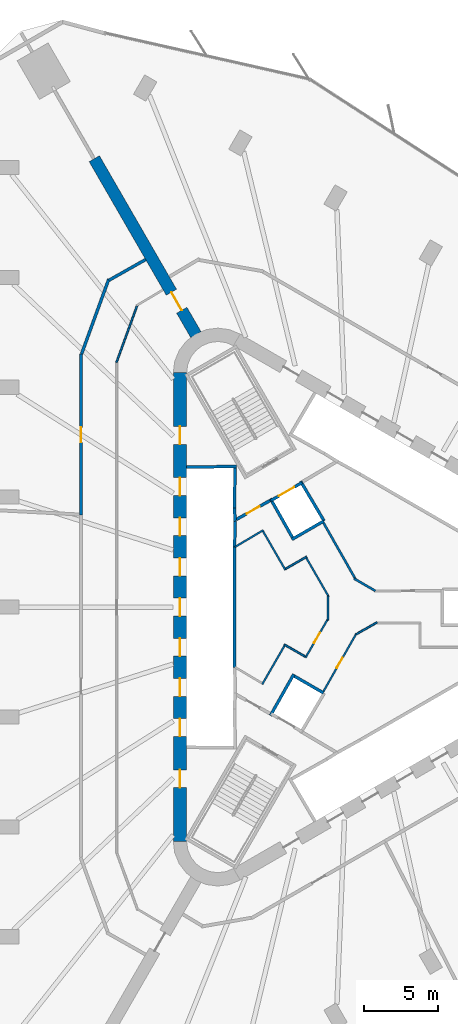
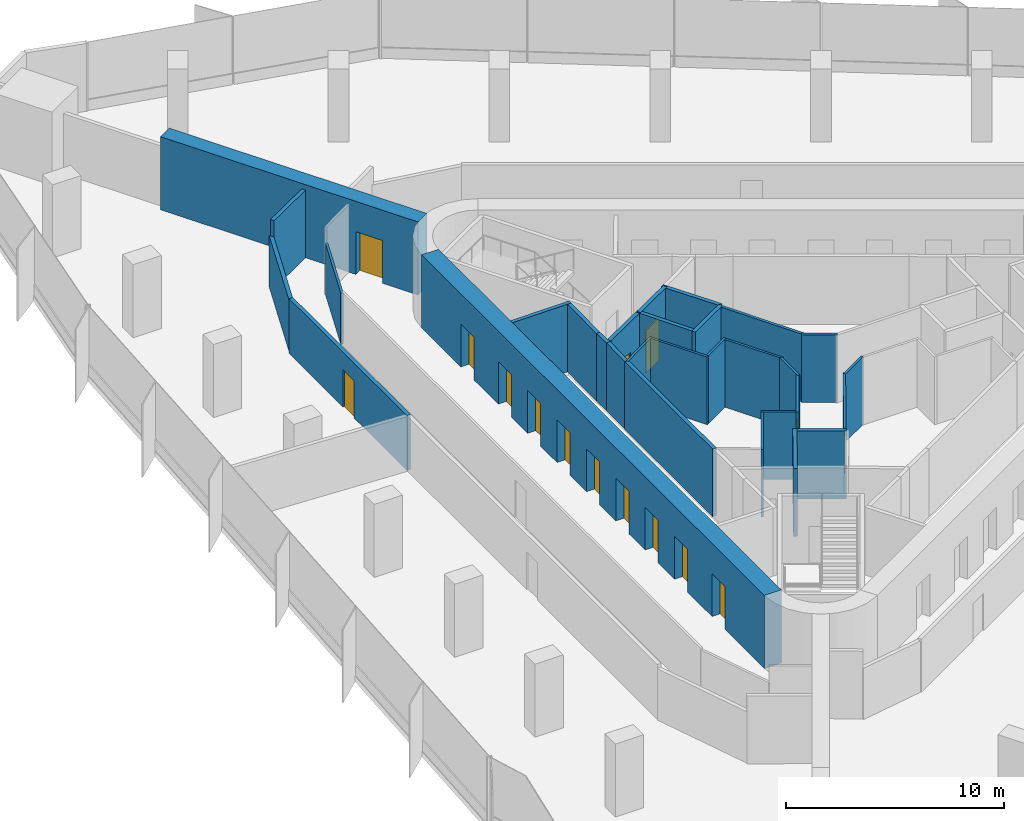
# One storey, part 10 of 14: 30 walls, 15 doors, 15 openings.
"""IFC4 building model written with IfcOpenShell, lengths in metres."""

from ifc_helpers import new_model, si_unit, direction, frame, frame_2d, origin, place, context, subcontext, project, spatial, rectangle, extrude, material, layer, layer_set, type_object, element, fill, save


model = new_model("IFC4")

# Units and contexts
model_context = context("Model", 3, precision=1e-05, world=origin(), true_north=direction((0.0, 1.0)))
body_context = subcontext(model_context, "Body", "Model", "MODEL_VIEW")
ifc_project = project(units=[si_unit("LENGTHUNIT", "METRE"), si_unit("AREAUNIT", "SQUARE_METRE"), si_unit("VOLUMEUNIT", "CUBIC_METRE"), si_unit("PLANEANGLEUNIT", "RADIAN"), si_unit("MASSUNIT", "GRAM", prefix="KILO")], contexts=[model_context])

# Site, building, storey
site_placement = place(None, origin())
site = spatial("IfcSite", under=ifc_project, at=site_placement, CompositionType="ELEMENT")
building_placement = place(site_placement, origin())
building = spatial("IfcBuilding", under=site, at=building_placement, Name="Tanit Gate Tower", CompositionType="ELEMENT")
storey_placement = place(building_placement, frame((0.0, 0.0, 70.10009765625)))
storey = spatial("IfcBuildingStorey", under=building, at=storey_placement, Name="L13", CompositionType="ELEMENT", Elevation=70.10009765625)

# Wall, opening, door
ifc_material_1 = material(Name="Concrete C60/75", Category="concrete")
ifc_layer_1 = layer(ifc_material_1, 0.800048828125)
ifc_layer_set_1 = layer_set([ifc_layer_1], Name="BUTTRESS FIN 800 C60/75")
wall_type_1 = type_object("IfcWallType", Name="BUTTRESS FIN 800 C60/75", PredefinedType="SHEAR", material=ifc_layer_set_1)
wall_1_placement = place(storey_placement, frame((-10.574951171875, 18.31640625, 0.0), z_axis=(0.0, 0.0, 1.0), x_axis=(-0.499998162141, 0.86602646487, 0.0)))
wall_1 = element("IfcWall", 1, at=wall_1_placement, inside=storey, type_object=wall_type_1, Name="BUTTRESS FIN", PredefinedType="SHEAR", context=body_context, shape_type="SweptSolid", body=[
    extrude(rectangle(XDim=13.66943359375, YDim=0.800048828125, at=frame_2d((6.834716796875, 0.0))), origin(), (0.0, 0.0, 1.0), 4.099853515625),
])
opening_1_placement = place(wall_1_placement, frame((1.89990234375, 0.0, 0.0)))
opening_1 = element("IfcOpeningElement", 2, at=opening_1_placement, cuts=wall_1, Name="Opening P14-S02-F-NW-1", PredefinedType="OPENING", context=body_context, shape_type="SweptSolid", body=[
    extrude(rectangle(XDim=1.39990234375, YDim=2.39990234375, at=frame_2d((0.699951171875, 1.199951171875))), frame((0.0, 0.41015625, 0.0), z_axis=(0.0, -1.0, 0.0), x_axis=(1.0, 0.0, 0.0)), (0.0, 0.0, 1.0), 0.820068359375),
])
ifc_material_2 = material(Name="Timber door leaf", Category="wood")
door_type_1 = type_object("IfcDoorType", Name="INT-DOOR-FIN-PAIR-1400", OperationType="NOTDEFINED", PredefinedType="NOTDEFINED", material=ifc_material_2)
door_1_placement = place(opening_1_placement, origin())
door_1 = element("IfcDoor", 3, at=door_1_placement, inside=storey, type_object=door_type_1, Name="Door P14-S02-F-NW-1", OperationType="DOUBLE_DOOR_SINGLE_SWING", OverallHeight=2.39990234375, OverallWidth=1.39990234375, PredefinedType="NOTDEFINED", context=body_context, shape_type="SweptSolid", body=[
    extrude(rectangle(XDim=1.39990234375, YDim=2.39990234375, at=frame_2d((0.699951171875, 1.199951171875))), frame((0.0, 0.02490234375, 0.0), z_axis=(0.0, -1.0, 0.0), x_axis=(1.0, 0.0, 0.0)), (0.0, 0.0, 1.0), 0.050048828125),
])
fill(opening_1, door_1)

# Wall, openings, doors
ifc_material_3 = material(Name="Concrete C60/75", Category="concrete")
ifc_layer_2 = layer(ifc_material_3, 0.89990234375)
ifc_layer_set_2 = layer_set([ifc_layer_2], Name="CORE WALL 900 C60/75")
wall_type_2 = type_object("IfcWallType", Name="CORE WALL 900 C60/75", PredefinedType="SHEAR", material=ifc_layer_set_2)
wall_2_placement = place(storey_placement, frame((-11.64990234375, 15.76171875, 0.0), z_axis=(0.0, 0.0, 1.0), x_axis=(0.0, -1.0, 0.0)))
wall_2 = element("IfcWall", 4, at=wall_2_placement, inside=storey, type_object=wall_type_2, Name="CORE WALL", PredefinedType="SHEAR", context=body_context, shape_type="SweptSolid", body=[
    extrude(rectangle(XDim=31.5234375, YDim=0.89990234375, at=frame_2d((15.76171875, 0.0))), origin(), (0.0, 0.0, 1.0), 4.099853515625),
])
opening_2_placement = place(wall_2_placement, frame((7.061767578125, 0.0, 0.0)))
opening_2 = element("IfcOpeningElement", 5, at=opening_2_placement, cuts=wall_2, Name="Opening LDLL1-S02", PredefinedType="OPENING", context=body_context, shape_type="SweptSolid", body=[
    extrude(rectangle(XDim=1.199951171875, YDim=2.39990234375, at=frame_2d((0.60009765625, 1.199951171875))), frame((0.0, 0.4599609375, 0.0), z_axis=(0.0, -1.0, 0.0), x_axis=(1.0, 0.0, 0.0)), (0.0, 0.0, 1.0), 0.919921875),
])
opening_3_placement = place(wall_2_placement, frame((9.76171875, 0.0, 0.0)))
opening_3 = element("IfcOpeningElement", 6, at=opening_3_placement, cuts=wall_2, Name="Opening LDLL2-S02", PredefinedType="OPENING", context=body_context, shape_type="SweptSolid", body=[
    extrude(rectangle(XDim=1.199951171875, YDim=2.39990234375, at=frame_2d((0.60009765625, 1.199951171875))), frame((0.0, 0.4599609375, 0.0), z_axis=(0.0, -1.0, 0.0), x_axis=(1.0, 0.0, 0.0)), (0.0, 0.0, 1.0), 0.919921875),
])
opening_4_placement = place(wall_2_placement, frame((12.461669921875, 0.0, 0.0)))
opening_4 = element("IfcOpeningElement", 7, at=opening_4_placement, cuts=wall_2, Name="Opening LDLL3-S02", PredefinedType="OPENING", context=body_context, shape_type="SweptSolid", body=[
    extrude(rectangle(XDim=1.199951171875, YDim=2.39990234375, at=frame_2d((0.60009765625, 1.199951171875))), frame((0.0, 0.4599609375, 0.0), z_axis=(0.0, -1.0, 0.0), x_axis=(1.0, 0.0, 0.0)), (0.0, 0.0, 1.0), 0.919921875),
])
opening_5_placement = place(wall_2_placement, frame((15.16162109375, 0.0, 0.0)))
opening_5 = element("IfcOpeningElement", 8, at=opening_5_placement, cuts=wall_2, Name="Opening LDLL4-S02", PredefinedType="OPENING", context=body_context, shape_type="SweptSolid", body=[
    extrude(rectangle(XDim=1.199951171875, YDim=2.39990234375, at=frame_2d((0.60009765625, 1.199951171875))), frame((0.0, 0.4599609375, 0.0), z_axis=(0.0, -1.0, 0.0), x_axis=(1.0, 0.0, 0.0)), (0.0, 0.0, 1.0), 0.919921875),
])
opening_6_placement = place(wall_2_placement, frame((17.86181640625, 0.0, 0.0)))
opening_6 = element("IfcOpeningElement", 9, at=opening_6_placement, cuts=wall_2, Name="Opening LDLL5-S02", PredefinedType="OPENING", context=body_context, shape_type="SweptSolid", body=[
    extrude(rectangle(XDim=1.199951171875, YDim=2.39990234375, at=frame_2d((0.60009765625, 1.199951171875))), frame((0.0, 0.4599609375, 0.0), z_axis=(0.0, -1.0, 0.0), x_axis=(1.0, 0.0, 0.0)), (0.0, 0.0, 1.0), 0.919921875),
])
opening_7_placement = place(wall_2_placement, frame((20.561767578125, 0.0, 0.0)))
opening_7 = element("IfcOpeningElement", 10, at=opening_7_placement, cuts=wall_2, Name="Opening LDLL6-S02", PredefinedType="OPENING", context=body_context, shape_type="SweptSolid", body=[
    extrude(rectangle(XDim=1.199951171875, YDim=2.39990234375, at=frame_2d((0.60009765625, 1.199951171875))), frame((0.0, 0.4599609375, 0.0), z_axis=(0.0, -1.0, 0.0), x_axis=(1.0, 0.0, 0.0)), (0.0, 0.0, 1.0), 0.919921875),
])
opening_8_placement = place(wall_2_placement, frame((23.26171875, 0.0, 0.0)))
opening_8 = element("IfcOpeningElement", 11, at=opening_8_placement, cuts=wall_2, Name="Opening LDLL7-S02", PredefinedType="OPENING", context=body_context, shape_type="SweptSolid", body=[
    extrude(rectangle(XDim=1.199951171875, YDim=2.39990234375, at=frame_2d((0.60009765625, 1.199951171875))), frame((0.0, 0.4599609375, 0.0), z_axis=(0.0, -1.0, 0.0), x_axis=(1.0, 0.0, 0.0)), (0.0, 0.0, 1.0), 0.919921875),
])
opening_9_placement = place(wall_2_placement, frame((3.61181640625, 0.0, 0.0)))
opening_9 = element("IfcOpeningElement", 12, at=opening_9_placement, cuts=wall_2, Name="Opening F12-S02-FL2", PredefinedType="OPENING", context=body_context, shape_type="SweptSolid", body=[
    extrude(rectangle(XDim=1.199951171875, YDim=2.39990234375, at=frame_2d((0.60009765625, 1.199951171875))), frame((0.0, 0.4599609375, 0.0), z_axis=(0.0, -1.0, 0.0), x_axis=(1.0, 0.0, 0.0)), (0.0, 0.0, 1.0), 0.919921875),
])
opening_10_placement = place(wall_2_placement, frame((26.711669921875, 0.0, 0.0)))
opening_10 = element("IfcOpeningElement", 13, at=opening_10_placement, cuts=wall_2, Name="Opening F12-S02-S3", PredefinedType="OPENING", context=body_context, shape_type="SweptSolid", body=[
    extrude(rectangle(XDim=1.199951171875, YDim=2.39990234375, at=frame_2d((0.60009765625, 1.199951171875))), frame((0.0, 0.4599609375, 0.0), z_axis=(0.0, -1.0, 0.0), x_axis=(1.0, 0.0, 0.0)), (0.0, 0.0, 1.0), 0.919921875),
])
ifc_material_4 = material(Name="Fire-rated steel door leaf", Category="steel")
door_type_2 = type_object("IfcDoorType", Name="INT-DOOR-FIRE-LOBBY-1200", OperationType="NOTDEFINED", PredefinedType="USERDEFINED", material=ifc_material_4)
door_2_placement = place(opening_9_placement, origin())
door_2 = element("IfcDoor", 14, at=door_2_placement, inside=storey, type_object=door_type_2, Name="Door F12-S02-FL2", ObjectType="FIRE DOOR", OperationType="SINGLE_SWING_RIGHT", OverallHeight=2.39990234375, OverallWidth=1.199951171875, PredefinedType="USERDEFINED", context=body_context, shape_type="SweptSolid", body=[
    extrude(rectangle(XDim=1.199951171875, YDim=2.39990234375, at=frame_2d((0.60009765625, 1.199951171875))), frame((0.0, 0.02490234375, 0.0), z_axis=(0.0, -1.0, 0.0), x_axis=(1.0, 0.0, 0.0)), (0.0, 0.0, 1.0), 0.050048828125),
])
fill(opening_9, door_2)
door_3_placement = place(opening_10_placement, origin())
door_3 = element("IfcDoor", 15, at=door_3_placement, inside=storey, type_object=door_type_2, Name="Door F12-S02-S3", ObjectType="FIRE DOOR", OperationType="SINGLE_SWING_RIGHT", OverallHeight=2.39990234375, OverallWidth=1.199951171875, PredefinedType="USERDEFINED", context=body_context, shape_type="SweptSolid", body=[
    extrude(rectangle(XDim=1.199951171875, YDim=2.39990234375, at=frame_2d((0.60009765625, 1.199951171875))), frame((0.0, 0.02490234375, 0.0), z_axis=(0.0, -1.0, 0.0), x_axis=(1.0, 0.0, 0.0)), (0.0, 0.0, 1.0), 0.050048828125),
])
fill(opening_10, door_3)
ifc_material_5 = material(Name="Stainless steel sliding door leaf", Category="steel")
door_type_3 = type_object("IfcDoorType", Name="INT-DOOR-LANDING-1200", OperationType="NOTDEFINED", PredefinedType="USERDEFINED", material=ifc_material_5)
door_4_placement = place(opening_2_placement, origin())
door_4 = element("IfcDoor", 16, at=door_4_placement, inside=storey, type_object=door_type_3, Name="Door LDLL1-S02", ObjectType="LANDING DOOR", OperationType="SLIDING_TO_LEFT", OverallHeight=2.39990234375, OverallWidth=1.199951171875, PredefinedType="USERDEFINED", context=body_context, shape_type="SweptSolid", body=[
    extrude(rectangle(XDim=1.199951171875, YDim=2.39990234375, at=frame_2d((0.60009765625, 1.199951171875))), frame((0.0, 0.02490234375, 0.0), z_axis=(0.0, -1.0, 0.0), x_axis=(1.0, 0.0, 0.0)), (0.0, 0.0, 1.0), 0.050048828125),
])
fill(opening_2, door_4)
door_5_placement = place(opening_3_placement, origin())
door_5 = element("IfcDoor", 17, at=door_5_placement, inside=storey, type_object=door_type_3, Name="Door LDLL2-S02", ObjectType="LANDING DOOR", OperationType="SLIDING_TO_LEFT", OverallHeight=2.39990234375, OverallWidth=1.199951171875, PredefinedType="USERDEFINED", context=body_context, shape_type="SweptSolid", body=[
    extrude(rectangle(XDim=1.199951171875, YDim=2.39990234375, at=frame_2d((0.60009765625, 1.199951171875))), frame((0.0, 0.02490234375, 0.0), z_axis=(0.0, -1.0, 0.0), x_axis=(1.0, 0.0, 0.0)), (0.0, 0.0, 1.0), 0.050048828125),
])
fill(opening_3, door_5)
door_6_placement = place(opening_4_placement, origin())
door_6 = element("IfcDoor", 18, at=door_6_placement, inside=storey, type_object=door_type_3, Name="Door LDLL3-S02", ObjectType="LANDING DOOR", OperationType="SLIDING_TO_LEFT", OverallHeight=2.39990234375, OverallWidth=1.199951171875, PredefinedType="USERDEFINED", context=body_context, shape_type="SweptSolid", body=[
    extrude(rectangle(XDim=1.199951171875, YDim=2.39990234375, at=frame_2d((0.60009765625, 1.199951171875))), frame((0.0, 0.02490234375, 0.0), z_axis=(0.0, -1.0, 0.0), x_axis=(1.0, 0.0, 0.0)), (0.0, 0.0, 1.0), 0.050048828125),
])
fill(opening_4, door_6)
door_7_placement = place(opening_5_placement, origin())
door_7 = element("IfcDoor", 19, at=door_7_placement, inside=storey, type_object=door_type_3, Name="Door LDLL4-S02", ObjectType="LANDING DOOR", OperationType="SLIDING_TO_LEFT", OverallHeight=2.39990234375, OverallWidth=1.199951171875, PredefinedType="USERDEFINED", context=body_context, shape_type="SweptSolid", body=[
    extrude(rectangle(XDim=1.199951171875, YDim=2.39990234375, at=frame_2d((0.60009765625, 1.199951171875))), frame((0.0, 0.02490234375, 0.0), z_axis=(0.0, -1.0, 0.0), x_axis=(1.0, 0.0, 0.0)), (0.0, 0.0, 1.0), 0.050048828125),
])
fill(opening_5, door_7)
door_8_placement = place(opening_6_placement, origin())
door_8 = element("IfcDoor", 20, at=door_8_placement, inside=storey, type_object=door_type_3, Name="Door LDLL5-S02", ObjectType="LANDING DOOR", OperationType="SLIDING_TO_LEFT", OverallHeight=2.39990234375, OverallWidth=1.199951171875, PredefinedType="USERDEFINED", context=body_context, shape_type="SweptSolid", body=[
    extrude(rectangle(XDim=1.199951171875, YDim=2.39990234375, at=frame_2d((0.60009765625, 1.199951171875))), frame((0.0, 0.02490234375, 0.0), z_axis=(0.0, -1.0, 0.0), x_axis=(1.0, 0.0, 0.0)), (0.0, 0.0, 1.0), 0.050048828125),
])
fill(opening_6, door_8)
door_9_placement = place(opening_7_placement, origin())
door_9 = element("IfcDoor", 21, at=door_9_placement, inside=storey, type_object=door_type_3, Name="Door LDLL6-S02", ObjectType="LANDING DOOR", OperationType="SLIDING_TO_LEFT", OverallHeight=2.39990234375, OverallWidth=1.199951171875, PredefinedType="USERDEFINED", context=body_context, shape_type="SweptSolid", body=[
    extrude(rectangle(XDim=1.199951171875, YDim=2.39990234375, at=frame_2d((0.60009765625, 1.199951171875))), frame((0.0, 0.02490234375, 0.0), z_axis=(0.0, -1.0, 0.0), x_axis=(1.0, 0.0, 0.0)), (0.0, 0.0, 1.0), 0.050048828125),
])
fill(opening_7, door_9)
door_10_placement = place(opening_8_placement, origin())
door_10 = element("IfcDoor", 22, at=door_10_placement, inside=storey, type_object=door_type_3, Name="Door LDLL7-S02", ObjectType="LANDING DOOR", OperationType="SLIDING_TO_LEFT", OverallHeight=2.39990234375, OverallWidth=1.199951171875, PredefinedType="USERDEFINED", context=body_context, shape_type="SweptSolid", body=[
    extrude(rectangle(XDim=1.199951171875, YDim=2.39990234375, at=frame_2d((0.60009765625, 1.199951171875))), frame((0.0, 0.02490234375, 0.0), z_axis=(0.0, -1.0, 0.0), x_axis=(1.0, 0.0, 0.0)), (0.0, 0.0, 1.0), 0.050048828125),
])
fill(opening_8, door_10)

# Wall, opening, door
ifc_material_6 = material(Name="Fire-rated gypsum board partition")
ifc_layer_3 = layer(ifc_material_6, 0.199951171875)
ifc_layer_set_3 = layer_set([ifc_layer_3], Name="INT-WALL-COMPARTMENT")
wall_type_3 = type_object("IfcWallType", Name="INT-WALL-COMPARTMENT", PredefinedType="PARTITIONING", material=ifc_layer_set_3)
wall_3_placement = place(storey_placement, frame((-5.600341796875, 7.16015625, 0.0), z_axis=(0.0, 0.0, 1.0), x_axis=(-0.871363259478, -0.490638431059, 0.0)))
wall_3 = element("IfcWall", 23, at=wall_3_placement, inside=storey, type_object=wall_type_3, Name="Wall Compartment W062", PredefinedType="PARTITIONING", context=body_context, shape_type="SweptSolid", body=[
    extrude(rectangle(XDim=2.5810546875, YDim=0.199951171875, at=frame_2d((1.29052734375, 0.0))), origin(), (0.0, 0.0, 1.0), 3.7998046875),
])
opening_11_placement = place(wall_3_placement, frame((0.79052734375, 0.0, 0.0)))
opening_11 = element("IfcOpeningElement", 24, at=opening_11_placement, cuts=wall_3, Name="Opening F10-S02-05", PredefinedType="OPENING", context=body_context, shape_type="SweptSolid", body=[
    extrude(rectangle(XDim=1.0, YDim=2.10009765625, at=frame_2d((0.5, 1.050048828125))), frame((0.0, 0.10986328125, 0.0), z_axis=(0.0, -1.0, 0.0), x_axis=(1.0, 0.0, 0.0)), (0.0, 0.0, 1.0), 0.219970703125),
])
ifc_material_7 = material(Name="Fire-rated steel door leaf", Category="steel")
door_type_4 = type_object("IfcDoorType", Name="INT-DOOR-FIRE-1000", OperationType="NOTDEFINED", PredefinedType="USERDEFINED", material=ifc_material_7)
door_11_placement = place(opening_11_placement, origin())
door_11 = element("IfcDoor", 25, at=door_11_placement, inside=storey, type_object=door_type_4, Name="Door F10-S02-05", ObjectType="FIRE DOOR", OperationType="SINGLE_SWING_LEFT", OverallHeight=2.10009765625, OverallWidth=1.0, PredefinedType="USERDEFINED", context=body_context, shape_type="SweptSolid", body=[
    extrude(rectangle(XDim=1.0, YDim=2.10009765625, at=frame_2d((0.5, 1.050048828125))), frame((0.0, 0.02490234375, 0.0), z_axis=(0.0, -1.0, 0.0), x_axis=(1.0, 0.0, 0.0)), (0.0, 0.0, 1.0), 0.050048828125),
])
fill(opening_11, door_11)

wall_4_placement = place(storey_placement, frame((-18.300048828125, 17.0341796875, 0.0), z_axis=(0.0, 0.0, 1.0), x_axis=(0.0, -1.0, 0.0)))
wall_4 = element("IfcWall", 26, at=wall_4_placement, inside=storey, type_object=wall_type_3, Name="Wall Compartment W091", PredefinedType="PARTITIONING", context=body_context, shape_type="SweptSolid", body=[
    extrude(rectangle(XDim=10.835205078125, YDim=0.199951171875, at=frame_2d((5.41748046875, 0.0))), origin(), (0.0, 0.0, 1.0), 3.079833984375),
])
opening_12_placement = place(wall_4_placement, frame((4.956298828125, 0.0, 0.0)))
opening_12 = element("IfcOpeningElement", 27, at=opening_12_placement, cuts=wall_4, Name="Opening F10-S02-20", PredefinedType="OPENING", context=body_context, shape_type="SweptSolid", body=[
    extrude(rectangle(XDim=1.0, YDim=2.10009765625, at=frame_2d((0.5, 1.050048828125))), frame((0.0, 0.10986328125, 0.0), z_axis=(0.0, -1.0, 0.0), x_axis=(1.0, 0.0, 0.0)), (0.0, 0.0, 1.0), 0.219970703125),
])
door_12_placement = place(opening_12_placement, origin())
door_12 = element("IfcDoor", 28, at=door_12_placement, inside=storey, type_object=door_type_4, Name="Door F10-S02-20", ObjectType="FIRE DOOR", OperationType="SINGLE_SWING_RIGHT", OverallHeight=2.10009765625, OverallWidth=1.0, PredefinedType="USERDEFINED", context=body_context, shape_type="SweptSolid", body=[
    extrude(rectangle(XDim=1.0, YDim=2.10009765625, at=frame_2d((0.5, 1.050048828125))), frame((0.0, 0.02490234375, 0.0), z_axis=(0.0, -1.0, 0.0), x_axis=(1.0, 0.0, 0.0)), (0.0, 0.0, 1.0), 0.050048828125),
])
fill(opening_12, door_12)

# Walls
wall_5_placement = place(storey_placement, frame((-16.4345703125, 22.0595703125, 0.0), z_axis=(0.0, 0.0, 1.0), x_axis=(-0.342032279434, -0.939688203515, 0.0)))
element("IfcWall", 29, at=wall_5_placement, inside=storey, type_object=wall_type_3, Name="Wall Compartment W092", PredefinedType="PARTITIONING", context=body_context, shape_type="SweptSolid", body=[
    extrude(rectangle(XDim=5.354248046875, YDim=0.199951171875, at=frame_2d((2.67724609375, 0.0))), origin(), (0.0, 0.0, 1.0), 2.8798828125),
])
wall_6_placement = place(storey_placement, frame((-13.956298828125, 23.373046875, 0.0), z_axis=(0.0, 0.0, 1.0), x_axis=(-0.870578825461, -0.492028971361, 0.0)))
element("IfcWall", 30, at=wall_6_placement, inside=storey, type_object=wall_type_3, Name="Wall Compartment W093", PredefinedType="PARTITIONING", context=body_context, shape_type="SweptSolid", body=[
    extrude(rectangle(XDim=2.84423828125, YDim=0.199951171875, at=frame_2d((1.422119140625, 0.0))), origin(), (0.0, 0.0, 1.0), 3.7998046875),
])

# Wall, opening, door
ifc_material_8 = material(Name="Gypsum board partition")
ifc_layer_4 = layer(ifc_material_8, 0.1201171875)
ifc_layer_set_4 = layer_set([ifc_layer_4], Name="INT-WALL-PARTITION")
wall_type_4 = type_object("IfcWallType", Name="INT-WALL-PARTITION", PredefinedType="PARTITIONING", material=ifc_layer_set_4)
wall_7_placement = place(storey_placement, frame((0.223876953125, -1.760986328125, 0.0), z_axis=(0.0, 0.0, 1.0), x_axis=(-0.494327216836, -0.869275907118, 0.0)))
wall_7 = element("IfcWall", 31, at=wall_7_placement, inside=storey, type_object=wall_type_4, Name="Wall Partition W068", PredefinedType="PARTITIONING", context=body_context, shape_type="SweptSolid", body=[
    extrude(rectangle(XDim=4.487060546875, YDim=0.1201171875, at=frame_2d((2.24365234375, 0.0))), origin(), (0.0, 0.0, 1.0), 3.7998046875),
])
opening_13_placement = place(wall_7_placement, frame((1.89453125, 0.0, 0.0)))
opening_13 = element("IfcOpeningElement", 32, at=opening_13_placement, cuts=wall_7, Name="Opening R08-S02-11", PredefinedType="OPENING", context=body_context, shape_type="SweptSolid", body=[
    extrude(rectangle(XDim=0.800048828125, YDim=2.10009765625, at=frame_2d((0.39990234375, 1.050048828125))), frame((0.0, 0.070068359375, 0.0), z_axis=(0.0, -1.0, 0.0), x_axis=(1.0, 0.0, 0.0)), (0.0, 0.0, 1.0), 0.14013671875),
])
ifc_material_9 = material(Name="Timber door leaf", Category="wood")
door_type_5 = type_object("IfcDoorType", Name="INT-DOOR-RISER-800", OperationType="NOTDEFINED", PredefinedType="USERDEFINED", material=ifc_material_9)
door_13_placement = place(opening_13_placement, origin())
door_13 = element("IfcDoor", 33, at=door_13_placement, inside=storey, type_object=door_type_5, Name="Door R08-S02-11", ObjectType="FIRE DOOR", OperationType="SINGLE_SWING_LEFT", OverallHeight=2.10009765625, OverallWidth=0.800048828125, PredefinedType="USERDEFINED", context=body_context, shape_type="SweptSolid", body=[
    extrude(rectangle(XDim=0.800048828125, YDim=2.10009765625, at=frame_2d((0.39990234375, 1.050048828125))), frame((0.0, 0.02490234375, 0.0), z_axis=(0.0, -1.0, 0.0), x_axis=(1.0, 0.0, 0.0)), (0.0, 0.0, 1.0), 0.050048828125),
])
fill(opening_13, door_13)

# Walls
wall_8_placement = place(storey_placement, frame((1.60546875, -1.02294921875, 0.0), z_axis=(0.0, 0.0, 1.0), x_axis=(-0.866001581989, -0.50004125829, 0.0)))
element("IfcWall", 34, at=wall_8_placement, inside=storey, type_object=wall_type_4, Name="Wall Partition W069", PredefinedType="PARTITIONING", context=body_context, shape_type="SweptSolid", body=[
    extrude(rectangle(XDim=1.635009765625, YDim=0.1201171875, at=frame_2d((0.8173828125, 0.0))), origin(), (0.0, 0.0, 1.0), 3.7998046875),
])
wall_9_placement = place(storey_placement, frame((-6.03662109375, 5.17578125, 0.0), z_axis=(0.0, 0.0, 1.0), x_axis=(-0.860106072674, -0.510115225953, 0.0)))
element("IfcWall", 35, at=wall_9_placement, inside=storey, type_object=wall_type_4, Name="Wall Partition W074", PredefinedType="PARTITIONING", context=body_context, shape_type="SweptSolid", body=[
    extrude(rectangle(XDim=2.224609375, YDim=0.1201171875, at=frame_2d((1.1123046875, 0.0))), origin(), (0.0, 0.0, 1.0), 3.7998046875),
])
wall_10_placement = place(storey_placement, frame((-4.558349609375, 2.4951171875, 0.0), z_axis=(0.0, 0.0, 1.0), x_axis=(-0.499990139034, 0.866031096941, 0.0)))
element("IfcWall", 36, at=wall_10_placement, inside=storey, type_object=wall_type_4, Name="Wall Partition W075", PredefinedType="PARTITIONING", context=body_context, shape_type="SweptSolid", body=[
    extrude(rectangle(XDim=3.0, YDim=0.1201171875, at=frame_2d((1.5, 0.0))), origin(), (0.0, 0.0, 1.0), 3.7998046875),
])
wall_11_placement = place(storey_placement, frame((-3.12890625, 3.3896484375, 0.0), z_axis=(0.0, 0.0, 1.0), x_axis=(-0.866053003207, -0.499952193351, 0.0)))
element("IfcWall", 37, at=wall_11_placement, inside=storey, type_object=wall_type_4, Name="Wall Partition W076", PredefinedType="PARTITIONING", context=body_context, shape_type="SweptSolid", body=[
    extrude(rectangle(XDim=1.625244140625, YDim=0.1201171875, at=frame_2d((0.8125, 0.0))), origin(), (0.0, 0.0, 1.0), 3.7998046875),
])
wall_12_placement = place(storey_placement, frame((-1.63671875, 0.68505859375, 0.0), z_axis=(0.0, 0.0, 1.0), x_axis=(-0.500006252586, 0.866021793822, 0.0)))
element("IfcWall", 38, at=wall_12_placement, inside=storey, type_object=wall_type_4, Name="Wall Partition W077", PredefinedType="PARTITIONING", context=body_context, shape_type="SweptSolid", body=[
    extrude(rectangle(XDim=3.0283203125, YDim=0.1201171875, at=frame_2d((1.51416015625, 0.0))), origin(), (0.0, 0.0, 1.0), 3.7998046875),
])
wall_13_placement = place(storey_placement, frame((-1.688720703125, -0.87890625, 0.0), z_axis=(0.0, 0.0, 1.0), x_axis=(0.0, 1.0, 0.0)))
element("IfcWall", 39, at=wall_13_placement, inside=storey, type_object=wall_type_4, Name="Wall Partition W078", PredefinedType="PARTITIONING", context=body_context, shape_type="SweptSolid", body=[
    extrude(rectangle(XDim=1.63525390625, YDim=0.1201171875, at=frame_2d((0.817626953125, 0.0))), origin(), (0.0, 0.0, 1.0), 3.7998046875),
])

# Wall, opening, door
wall_14_placement = place(storey_placement, frame((-3.2109375, -3.41162109375, 0.0), z_axis=(0.0, 0.0, 1.0), x_axis=(0.499983190554, 0.866035108505, 0.0)))
wall_14 = element("IfcWall", 40, at=wall_14_placement, inside=storey, type_object=wall_type_4, Name="Wall Partition W079", PredefinedType="PARTITIONING", context=body_context, shape_type="SweptSolid", body=[
    extrude(rectangle(XDim=3.02587890625, YDim=0.1201171875, at=frame_2d((1.512939453125, 0.0))), origin(), (0.0, 0.0, 1.0), 3.7998046875),
])
opening_14_placement = place(wall_14_placement, frame((1.142822265625, 0.0, 0.0)))
opening_14 = element("IfcOpeningElement", 41, at=opening_14_placement, cuts=wall_14, Name="Opening R08-S02-12", PredefinedType="OPENING", context=body_context, shape_type="SweptSolid", body=[
    extrude(rectangle(XDim=0.800048828125, YDim=2.10009765625, at=frame_2d((0.39990234375, 1.050048828125))), frame((0.0, 0.070068359375, 0.0), z_axis=(0.0, -1.0, 0.0), x_axis=(1.0, 0.0, 0.0)), (0.0, 0.0, 1.0), 0.14013671875),
])
door_14_placement = place(opening_14_placement, origin())
door_14 = element("IfcDoor", 42, at=door_14_placement, inside=storey, type_object=door_type_5, Name="Door R08-S02-12", ObjectType="FIRE DOOR", OperationType="SINGLE_SWING_LEFT", OverallHeight=2.10009765625, OverallWidth=0.800048828125, PredefinedType="USERDEFINED", context=body_context, shape_type="SweptSolid", body=[
    extrude(rectangle(XDim=0.800048828125, YDim=2.10009765625, at=frame_2d((0.39990234375, 1.050048828125))), frame((0.0, 0.02490234375, 0.0), z_axis=(0.0, -1.0, 0.0), x_axis=(1.0, 0.0, 0.0)), (0.0, 0.0, 1.0), 0.050048828125),
])
fill(opening_14, door_14)

# Walls
wall_15_placement = place(storey_placement, frame((-4.64013671875, -2.51708984375, 0.0), z_axis=(0.0, 0.0, 1.0), x_axis=(0.866015446554, -0.500017246033, 0.0)))
element("IfcWall", 43, at=wall_15_placement, inside=storey, type_object=wall_type_4, Name="Wall Partition W080", PredefinedType="PARTITIONING", context=body_context, shape_type="SweptSolid", body=[
    extrude(rectangle(XDim=1.625, YDim=0.1201171875, at=frame_2d((0.8125, 0.0))), origin(), (0.0, 0.0, 1.0), 3.7998046875),
])
wall_16_placement = place(storey_placement, frame((-6.1181640625, -5.197265625, 0.0), z_axis=(0.0, 0.0, 1.0), x_axis=(0.499990139034, 0.866031096941, 0.0)))
element("IfcWall", 44, at=wall_16_placement, inside=storey, type_object=wall_type_4, Name="Wall Partition W081", PredefinedType="PARTITIONING", context=body_context, shape_type="SweptSolid", body=[
    extrude(rectangle(XDim=3.0, YDim=0.1201171875, at=frame_2d((1.5, 0.0))), origin(), (0.0, 0.0, 1.0), 3.7998046875),
])
wall_17_placement = place(storey_placement, frame((-14.527587890625, 20.281982421875, 0.0), z_axis=(0.0, 0.0, 1.0), x_axis=(-0.341969257767, -0.939711140054, 0.0)))
element("IfcWall", 45, at=wall_17_placement, inside=storey, type_object=wall_type_4, Name="Wall Partition W084", PredefinedType="PARTITIONING", context=body_context, shape_type="SweptSolid", body=[
    extrude(rectangle(XDim=4.072998046875, YDim=0.1201171875, at=frame_2d((2.03662109375, 0.0))), origin(), (0.0, 0.0, 1.0), 2.8798828125),
])
ifc_material_10 = material(Name="Fire-rated gypsum board partition")
ifc_layer_5 = layer(ifc_material_10, 0.14990234375)
ifc_layer_set_5 = layer_set([ifc_layer_5], Name="INT-WALL-RISER")
wall_type_5 = type_object("IfcWallType", Name="INT-WALL-RISER", PredefinedType="PLUMBINGWALL", material=ifc_layer_set_5)
wall_18_placement = place(storey_placement, frame((0.0625, 1.9140625, 0.0), z_axis=(0.0, 0.0, 1.0), x_axis=(0.866018462269, -0.500012022864, 0.0)))
element("IfcWall", 46, at=wall_18_placement, inside=storey, type_object=wall_type_5, Name="Wall Riser W066", PredefinedType="PLUMBINGWALL", context=body_context, shape_type="SweptSolid", body=[
    extrude(rectangle(XDim=1.654296875, YDim=0.14990234375, at=frame_2d((0.8271484375, 0.0))), origin(), (0.0, 0.0, 1.0), 3.7998046875),
])
wall_19_placement = place(storey_placement, frame((-1.994140625, 5.661376953125, 0.0), z_axis=(0.0, 0.0, 1.0), x_axis=(0.494341211302, -0.869267948798, 0.0)))
element("IfcWall", 47, at=wall_19_placement, inside=storey, type_object=wall_type_5, Name="Wall Riser W067", PredefinedType="PLUMBINGWALL", context=body_context, shape_type="SweptSolid", body=[
    extrude(rectangle(XDim=4.36083984375, YDim=0.14990234375, at=frame_2d((2.180419921875, 0.0))), origin(), (0.0, 0.0, 1.0), 3.7998046875),
])
ifc_material_11 = material(Name="Gypsum shaft wall system")
ifc_layer_6 = layer(ifc_material_11, 0.199951171875)
ifc_layer_set_6 = layer_set([ifc_layer_6], Name="INT-WALL-SHAFT")
wall_type_6 = type_object("IfcWallType", Name="INT-WALL-SHAFT", PredefinedType="PLUMBINGWALL", material=ifc_layer_set_6)
wall_20_placement = place(storey_placement, frame((-11.199951171875, 9.419921875, 0.0), z_axis=(0.0, 0.0, 1.0), x_axis=(0.999957167047, 0.009255488683, 0.0)))
element("IfcWall", 48, at=wall_20_placement, inside=storey, type_object=wall_type_6, Name="Wall Shaft W001", PredefinedType="PLUMBINGWALL", context=body_context, shape_type="SweptSolid", body=[
    extrude(rectangle(XDim=3.35009765625, YDim=0.199951171875, at=frame_2d((1.675048828125, 0.0))), origin(), (0.0, 0.0, 1.0), 3.7998046875),
])
wall_21_placement = place(storey_placement, frame((-7.951171875, 9.35009765625, 0.0), z_axis=(0.0, 0.0, 1.0), x_axis=(-0.011120469654, -0.999938165666, 0.0)))
element("IfcWall", 49, at=wall_21_placement, inside=storey, type_object=wall_type_6, Name="Wall Shaft W002", PredefinedType="PLUMBINGWALL", context=body_context, shape_type="SweptSolid", body=[
    extrude(rectangle(XDim=2.700439453125, YDim=0.199951171875, at=frame_2d((1.35009765625, 0.0))), origin(), (0.0, 0.0, 1.0), 3.7998046875),
])
wall_22_placement = place(storey_placement, frame((-7.97705078125, 6.650146484375, 0.0), z_axis=(0.0, 0.0, 1.0), x_axis=(0.030861509705, -0.999523670164, 0.0)))
element("IfcWall", 50, at=wall_22_placement, inside=storey, type_object=wall_type_6, Name="Wall Shaft W004", PredefinedType="PLUMBINGWALL", context=body_context, shape_type="SweptSolid", body=[
    extrude(rectangle(XDim=0.878173828125, YDim=0.199951171875, at=frame_2d((0.43896484375, 0.0))), origin(), (0.0, 0.0, 1.0), 3.7998046875),
])
wall_23_placement = place(storey_placement, frame((-7.94921875, 5.894775390625, 0.0), z_axis=(0.0, 0.0, 1.0), x_axis=(-0.012042535896, -0.999927486035, 0.0)))
element("IfcWall", 51, at=wall_23_placement, inside=storey, type_object=wall_type_6, Name="Wall Shaft W005", PredefinedType="PLUMBINGWALL", context=body_context, shape_type="SweptSolid", body=[
    extrude(rectangle(XDim=1.844970703125, YDim=0.199951171875, at=frame_2d((0.92236328125, 0.0))), origin(), (0.0, 0.0, 1.0), 3.7998046875),
])
wall_24_placement = place(storey_placement, frame((-7.97998046875, 4.050048828125, 0.0), z_axis=(0.0, 0.0, 1.0), x_axis=(0.0, -1.0, 0.0)))
element("IfcWall", 52, at=wall_24_placement, inside=storey, type_object=wall_type_6, Name="Wall Shaft W006", PredefinedType="PLUMBINGWALL", context=body_context, shape_type="SweptSolid", body=[
    extrude(rectangle(XDim=8.10009765625, YDim=0.199951171875, at=frame_2d((4.050048828125, 0.0))), origin(), (0.0, 0.0, 1.0), 3.7998046875),
])

# Wall, opening, door
wall_25_placement = place(storey_placement, frame((-5.524169921875, 7.168212890625, 0.0), z_axis=(0.0, 0.0, 1.0), x_axis=(0.866024647952, 0.500001309137, 0.0)))
wall_25 = element("IfcWall", 53, at=wall_25_placement, inside=storey, type_object=wall_type_6, Name="Wall Shaft W045", PredefinedType="PLUMBINGWALL", context=body_context, shape_type="SweptSolid", body=[
    extrude(rectangle(XDim=2.39990234375, YDim=0.199951171875, at=frame_2d((1.199951171875, 0.0))), origin(), (0.0, 0.0, 1.0), 3.7998046875),
])
opening_15_placement = place(wall_25_placement, frame((0.60009765625, 0.0, 0.0)))
opening_15 = element("IfcOpeningElement", 54, at=opening_15_placement, cuts=wall_25, Name="Opening LDFL2-L13", PredefinedType="OPENING", context=body_context, shape_type="SweptSolid", body=[
    extrude(rectangle(XDim=1.199951171875, YDim=2.39990234375, at=frame_2d((0.60009765625, 1.199951171875))), frame((0.0, 0.10986328125, 0.0), z_axis=(0.0, -1.0, 0.0), x_axis=(1.0, 0.0, 0.0)), (0.0, 0.0, 1.0), 0.219970703125),
])
door_15_placement = place(opening_15_placement, origin())
door_15 = element("IfcDoor", 55, at=door_15_placement, inside=storey, type_object=door_type_3, Name="Door LDFL2-L13", ObjectType="LANDING DOOR", OperationType="SLIDING_TO_LEFT", OverallHeight=2.39990234375, OverallWidth=1.199951171875, PredefinedType="USERDEFINED", context=body_context, shape_type="SweptSolid", body=[
    extrude(rectangle(XDim=1.199951171875, YDim=2.39990234375, at=frame_2d((0.60009765625, 1.199951171875))), frame((0.0, 0.02490234375, 0.0), z_axis=(0.0, -1.0, 0.0), x_axis=(1.0, 0.0, 0.0)), (0.0, 0.0, 1.0), 0.050048828125),
])
fill(opening_15, door_15)

# Walls
wall_26_placement = place(storey_placement, frame((-3.53759765625, 8.46533203125, 0.0), z_axis=(0.0, 0.0, 1.0), x_axis=(0.508647062354, -0.860975125052, 0.0)))
element("IfcWall", 56, at=wall_26_placement, inside=storey, type_object=wall_type_6, Name="Wall Shaft W046", PredefinedType="PLUMBINGWALL", context=body_context, shape_type="SweptSolid", body=[
    extrude(rectangle(XDim=3.10009765625, YDim=0.199951171875, at=frame_2d((1.550048828125, 0.0))), origin(), (0.0, 0.0, 1.0), 3.7998046875),
])
wall_27_placement = place(storey_placement, frame((-1.978515625, 5.785888671875, 0.0), z_axis=(0.0, 0.0, 1.0), x_axis=(-0.866016689309, -0.500015093611, 0.0)))
element("IfcWall", 57, at=wall_27_placement, inside=storey, type_object=wall_type_6, Name="Wall Shaft W047", PredefinedType="PLUMBINGWALL", context=body_context, shape_type="SweptSolid", body=[
    extrude(rectangle(XDim=2.4794921875, YDim=0.199951171875, at=frame_2d((1.23974609375, 0.0))), origin(), (0.0, 0.0, 1.0), 3.7998046875),
])
wall_28_placement = place(storey_placement, frame((-5.5625, 7.29638671875, 0.0), z_axis=(0.0, 0.0, 1.0), x_axis=(0.49134651263, -0.870964180966, 0.0)))
element("IfcWall", 58, at=wall_28_placement, inside=storey, type_object=wall_type_6, Name="Wall Shaft W048", PredefinedType="PLUMBINGWALL", context=body_context, shape_type="SweptSolid", body=[
    extrude(rectangle(XDim=3.000244140625, YDim=0.199951171875, at=frame_2d((1.5, 0.0))), origin(), (0.0, 0.0, 1.0), 3.7998046875),
])
wall_29_placement = place(storey_placement, frame((-3.989990234375, -4.509033203125, 0.0), z_axis=(0.0, 0.0, 1.0), x_axis=(-0.491358283181, -0.870957540612, 0.0)))
element("IfcWall", 59, at=wall_29_placement, inside=storey, type_object=wall_type_6, Name="Wall Shaft W055", PredefinedType="PLUMBINGWALL", context=body_context, shape_type="SweptSolid", body=[
    extrude(rectangle(XDim=3.200439453125, YDim=0.199951171875, at=frame_2d((1.60009765625, 0.0))), origin(), (0.0, 0.0, 1.0), 3.7998046875),
])
wall_30_placement = place(storey_placement, frame((-3.95263671875, -4.646240234375, 0.0), z_axis=(0.0, 0.0, 1.0), x_axis=(0.866065302921, -0.4999308863, 0.0)))
element("IfcWall", 60, at=wall_30_placement, inside=storey, type_object=wall_type_6, Name="Wall Shaft W056", PredefinedType="PLUMBINGWALL", context=body_context, shape_type="SweptSolid", body=[
    extrude(rectangle(XDim=2.264404296875, YDim=0.199951171875, at=frame_2d((1.13232421875, 0.0))), origin(), (0.0, 0.0, 1.0), 3.7998046875),
])

save(model, "model.ifc")
